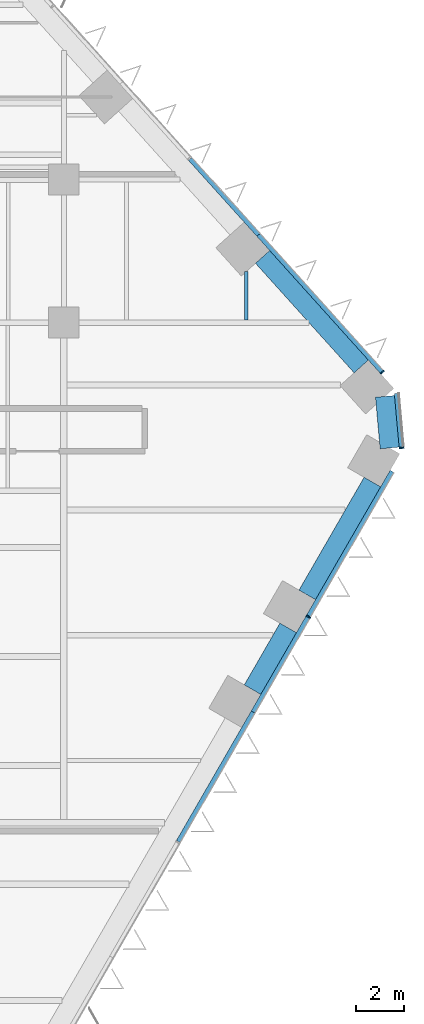
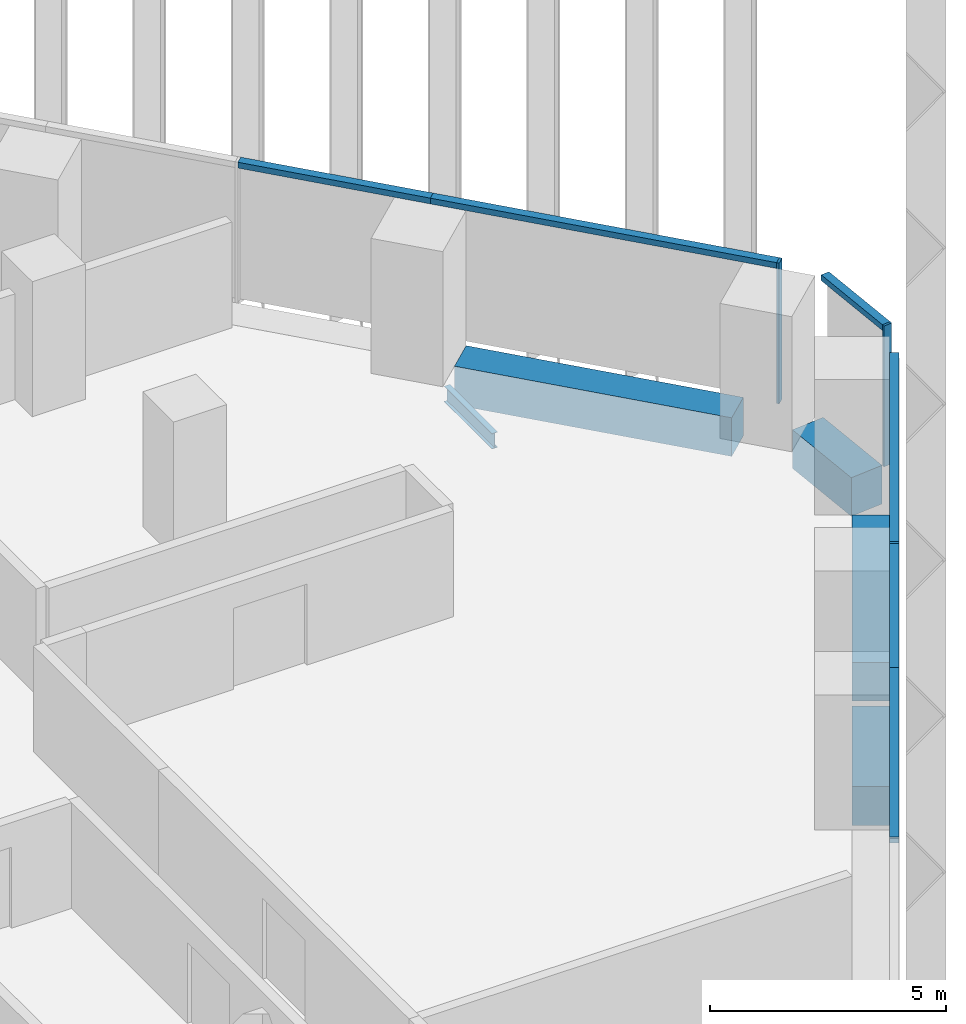
# One storey, part 11 of 24: 9 members, 5 beams, 3 elements without a shape of their own.
"""IFC4 building model written with IfcOpenShell, lengths in metres."""

from ifc_helpers import new_model, si_unit, direction, frame, origin, origin_2d, place, context, subcontext, project, spatial, rectangle, i_section, extrude, material, layer, layer_set, material_profile, profile_set, type_object, element, aggregate, save


model = new_model("IFC4")

# Units and contexts
model_context = context("Model", 3, precision=1e-05, world=origin(), true_north=direction((0.0, 1.0)))
body_context = subcontext(model_context, "Body", "Model", "MODEL_VIEW")
ifc_project = project(units=[si_unit("LENGTHUNIT", "METRE"), si_unit("AREAUNIT", "SQUARE_METRE"), si_unit("VOLUMEUNIT", "CUBIC_METRE"), si_unit("PLANEANGLEUNIT", "RADIAN"), si_unit("MASSUNIT", "GRAM", prefix="KILO")], contexts=[model_context])

# Site, building, storey
site_placement = place(None, origin())
site = spatial("IfcSite", under=ifc_project, at=site_placement, CompositionType="ELEMENT")
building_placement = place(site_placement, origin())
building = spatial("IfcBuilding", under=site, at=building_placement, Name="Isthmus Gate Tower", CompositionType="ELEMENT")
storey_placement = place(building_placement, frame((0.0, 0.0, 80.64990234375)))
storey = spatial("IfcBuildingStorey", under=building, at=storey_placement, Name="L18", CompositionType="ELEMENT", Elevation=80.64990234375)

# Curtain wall, member
ifc_material_1 = material(Name="Aluminium, pale champagne anodised", Category="aluminium")
ifc_layer = layer(ifc_material_1, 0.199951171875)
ifc_layer_set = layer_set([ifc_layer], Name="CW-1 UNITISED CURTAIN WALL 200 DEEP")
curtain_wall_type = type_object("IfcCurtainWallType", Name="CW-1 UNITISED CURTAIN WALL 200 DEEP", PredefinedType="NOTDEFINED", material=ifc_layer_set)
curtain_wall_1_placement = place(storey_placement, origin())
curtain_wall_1 = element("IfcCurtainWall", 1, at=curtain_wall_1_placement, inside=storey, type_object=curtain_wall_type, Name="CW-1 SE L18", PredefinedType="NOTDEFINED")
ifc_material_2 = material(Name="Aluminium, pale champagne anodised", Category="aluminium")
ifc_material_profile_1 = material_profile(ifc_material_2, rectangle(XDim=0.06005859375, YDim=0.199951171875, at=origin_2d()), Name="60x200")
ifc_profile_set_1 = profile_set([ifc_material_profile_1], Name="Aluminium, pale champagne anodised")
member_type_1 = type_object("IfcMemberType", Name="CW-1 MULLION 60 X 200", PredefinedType="MULLION", material=ifc_profile_set_1)
member_1_placement = place(storey_placement, frame((34.267822265625, -4.846435546875, 0.0), z_axis=(0.0, 0.0, 1.0), x_axis=(0.5, 0.866025403784, 0.0)))
member_1 = element("IfcMember", 2, at=member_1_placement, type_object=member_type_1, Name="CW-1 mullion", PredefinedType="MULLION", context=body_context, shape_type="SweptSolid", body=[
    extrude(rectangle(XDim=0.06005859375, YDim=0.199951171875, at=origin_2d()), origin(), (0.0, 0.0, 1.0), 3.650146484375),
])

curtain_wall_2_placement = place(storey_placement, origin())
curtain_wall_2 = element("IfcCurtainWall", 3, at=curtain_wall_2_placement, inside=storey, type_object=curtain_wall_type, Name="CW-1 SE-NE L18", PredefinedType="NOTDEFINED")
member_2_placement = place(storey_placement, frame((38.178955078125, 2.24169921875, 0.0), z_axis=(0.0, 0.0, 1.0), x_axis=(-0.089396669717, 0.995996102123, 0.0)))
member_2 = element("IfcMember", 4, at=member_2_placement, type_object=member_type_1, Name="CW-1 mullion", PredefinedType="MULLION", context=body_context, shape_type="SweptSolid", body=[
    extrude(rectangle(XDim=0.06005859375, YDim=0.199951171875, at=origin_2d()), origin(), (0.0, 0.0, 1.0), 3.650146484375),
])

curtain_wall_3_placement = place(storey_placement, origin())
curtain_wall_3 = element("IfcCurtainWall", 5, at=curtain_wall_3_placement, inside=storey, type_object=curtain_wall_type, Name="CW-1 NE L18", PredefinedType="NOTDEFINED")
member_3_placement = place(storey_placement, frame((37.37353515625, 5.419921875, 0.0), z_axis=(0.0, 0.0, 1.0), x_axis=(-0.669130606359, 0.743144825477, 0.0)))
member_3 = element("IfcMember", 6, at=member_3_placement, type_object=member_type_1, Name="CW-1 mullion", PredefinedType="MULLION", context=body_context, shape_type="SweptSolid", body=[
    extrude(rectangle(XDim=0.06005859375, YDim=0.199951171875, at=origin_2d()), origin(), (0.0, 0.0, 1.0), 3.650146484375),
])

# Member
ifc_material_3 = material(Name="Aluminium, pale champagne anodised", Category="aluminium")
ifc_material_profile_2 = material_profile(ifc_material_3, rectangle(XDim=0.199951171875, YDim=0.14990234375, at=origin_2d()), Name="200x150")
ifc_profile_set_2 = profile_set([ifc_material_profile_2], Name="Aluminium, pale champagne anodised")
member_type_2 = type_object("IfcMemberType", Name="CW-1 TRANSOM 200 X 150", PredefinedType="USERDEFINED", material=ifc_profile_set_2)
member_4_placement = place(storey_placement, frame((28.817138671875, -14.287353515625, 3.5751953125), z_axis=(0.499995104884, 0.866028229963, 0.0), x_axis=(-0.866028229963, 0.499995104884, 0.0)))
member_4 = element("IfcMember", 7, at=member_4_placement, type_object=member_type_2, Name="CW-1 transom", ObjectType="TRANSOM", PredefinedType="USERDEFINED", context=body_context, shape_type="SweptSolid", body=[
    extrude(rectangle(XDim=0.199951171875, YDim=0.14990234375, at=origin_2d()), origin(), (0.0, 0.0, 1.0), 6.2783203125),
])

member_5_placement = place(storey_placement, frame((31.956298828125, -8.85009765625, 3.5751953125), z_axis=(0.499992401796, 0.866029790565, 0.0), x_axis=(-0.866029790565, 0.499992401796, 0.0)))
member_5 = element("IfcMember", 8, at=member_5_placement, type_object=member_type_2, Name="CW-1 transom", ObjectType="TRANSOM", PredefinedType="USERDEFINED", context=body_context, shape_type="SweptSolid", body=[
    extrude(rectangle(XDim=0.199951171875, YDim=0.14990234375, at=origin_2d()), origin(), (0.0, 0.0, 1.0), 4.5927734375),
])

member_6_placement = place(storey_placement, frame((34.28271484375, -4.820556640625, 3.5751953125), z_axis=(0.500004847053, 0.866022605319, 0.0), x_axis=(-0.866022605319, 0.500004847053, 0.0)))
member_6 = element("IfcMember", 9, at=member_6_placement, type_object=member_type_2, Name="CW-1 transom", ObjectType="TRANSOM", PredefinedType="USERDEFINED", context=body_context, shape_type="SweptSolid", body=[
    extrude(rectangle(XDim=0.199951171875, YDim=0.14990234375, at=origin_2d()), origin(), (0.0, 0.0, 1.0), 7.009765625),
])

aggregate(curtain_wall_1, [member_4, member_5, member_1, member_6])

member_7_placement = place(storey_placement, frame((38.17626953125, 2.271728515625, 3.5751953125), z_axis=(-0.089395362867, 0.995996219419, 0.0), x_axis=(-0.995996219419, -0.089395362867, 0.0)))
member_7 = element("IfcMember", 10, at=member_7_placement, type_object=member_type_2, Name="CW-1 transom", ObjectType="TRANSOM", PredefinedType="USERDEFINED", context=body_context, shape_type="SweptSolid", body=[
    extrude(rectangle(XDim=0.199951171875, YDim=0.14990234375, at=origin_2d()), origin(), (0.0, 0.0, 1.0), 2.258544921875),
])

aggregate(curtain_wall_2, [member_2, member_7])

member_8_placement = place(storey_placement, frame((37.353515625, 5.4423828125, 3.5751953125), z_axis=(-0.669133991403, 0.743141777556, 0.0), x_axis=(-0.743141777556, -0.669133991403, 0.0)))
member_8 = element("IfcMember", 11, at=member_8_placement, type_object=member_type_2, Name="CW-1 transom", ObjectType="TRANSOM", PredefinedType="USERDEFINED", context=body_context, shape_type="SweptSolid", body=[
    extrude(rectangle(XDim=0.199951171875, YDim=0.14990234375, at=origin_2d()), origin(), (0.0, 0.0, 1.0), 7.729248046875),
])

member_9_placement = place(storey_placement, frame((32.181640625, 11.186279296875, 3.5751953125), z_axis=(-0.669131169216, 0.743144318678, 0.0), x_axis=(-0.743144318678, -0.669131169216, 0.0)))
member_9 = element("IfcMember", 12, at=member_9_placement, type_object=member_type_2, Name="CW-1 transom", ObjectType="TRANSOM", PredefinedType="USERDEFINED", context=body_context, shape_type="SweptSolid", body=[
    extrude(rectangle(XDim=0.199951171875, YDim=0.14990234375, at=origin_2d()), origin(), (0.0, 0.0, 1.0), 4.294677734375),
])

aggregate(curtain_wall_3, [member_3, member_8, member_9])

# Beams
ifc_material_4 = material(Name="Concrete f'c 70 MPa", Category="concrete")
ifc_material_profile_3 = material_profile(ifc_material_4, rectangle(XDim=0.800048828125, YDim=1.0, at=origin_2d()), Name="RC 800X1000")
ifc_profile_set_3 = profile_set([ifc_material_profile_3], Name="Concrete f'c 70 MPa")
beam_type_1 = type_object("IfcBeamType", Name="RC SPANDREL 800 X 1000", PredefinedType="SPANDREL", material=ifc_profile_set_3)
beam_1_placement = place(storey_placement, frame((32.34521484375, 10.25732421875, -0.5), z_axis=(0.669139054219, -0.743137218903, 0.0), x_axis=(0.743137218903, 0.669139054219, 0.0)))
element("IfcBeam", 13, at=beam_1_placement, inside=storey, type_object=beam_type_1, Name="str-spandrel-L18-04", PredefinedType="SPANDREL", context=body_context, shape_type="SweptSolid", body=[
    extrude(rectangle(XDim=0.800048828125, YDim=1.0, at=origin_2d()), origin(), (0.0, 0.0, 1.0), 6.189453125),
])
beam_2_placement = place(storey_placement, frame((37.483154296875, 4.40185546875, -0.5), z_axis=(0.089421511639, -0.995993872098, 0.0), x_axis=(0.995993872098, 0.089421511639, 0.0)))
element("IfcBeam", 14, at=beam_2_placement, inside=storey, type_object=beam_type_1, Name="str-spandrel-L18-05", PredefinedType="SPANDREL", context=body_context, shape_type="SweptSolid", body=[
    extrude(rectangle(XDim=0.800048828125, YDim=1.0, at=origin_2d()), origin(), (0.0, 0.0, 1.0), 2.17333984375),
])
beam_3_placement = place(storey_placement, frame((36.95458984375, 0.80712890625, -0.5), z_axis=(-0.500008371742, -0.866020570303, 0.0), x_axis=(0.866020570303, -0.500008371742, 0.0)))
element("IfcBeam", 15, at=beam_3_placement, inside=storey, type_object=beam_type_1, Name="str-spandrel-L18-06", PredefinedType="SPANDREL", context=body_context, shape_type="SweptSolid", body=[
    extrude(rectangle(XDim=0.800048828125, YDim=1.0, at=origin_2d()), origin(), (0.0, 0.0, 1.0), 5.4697265625),
])
beam_4_placement = place(storey_placement, frame((33.419677734375, -5.315185546875, -0.5), z_axis=(-0.499955472713, -0.866051110099, 0.0), x_axis=(0.866051110099, -0.499955472713, 0.0)))
element("IfcBeam", 16, at=beam_4_placement, inside=storey, type_object=beam_type_1, Name="str-spandrel-L18-07", PredefinedType="SPANDREL", context=body_context, shape_type="SweptSolid", body=[
    extrude(rectangle(XDim=0.800048828125, YDim=1.0, at=origin_2d()), origin(), (0.0, 0.0, 1.0), 2.992919921875),
])
ifc_material_5 = material(Name="Structural steel ASTM A992 Gr 50", Category="steel")
ifc_material_profile_4 = material_profile(ifc_material_5, i_section(OverallWidth=0.1396484375, OverallDepth=0.4033203125, WebThickness=0.00634765625, FlangeThickness=0.010986328125, at=origin_2d()), Name="W16X31")
ifc_profile_set_4 = profile_set([ifc_material_profile_4], Name="Structural steel ASTM A992 Gr 50")
beam_type_2 = type_object("IfcBeamType", Name="STEEL FLOOR BEAM W16X31", PredefinedType="JOIST", material=ifc_profile_set_4)
beam_5_placement = place(storey_placement, frame((31.666259765625, 7.6142578125, -0.3515625), z_axis=(0.0, 1.0, 0.0), x_axis=(-1.0, 0.0, 0.0)))
element("IfcBeam", 17, at=beam_5_placement, inside=storey, type_object=beam_type_2, Name="str-beam-L18-33-01", PredefinedType="JOIST", context=body_context, shape_type="SweptSolid", body=[
    extrude(i_section(OverallWidth=0.1396484375, OverallDepth=0.4033203125, WebThickness=0.00634765625, FlangeThickness=0.010986328125, at=origin_2d()), origin(), (0.0, 0.0, 1.0), 2.03173828125),
])

save(model, "model.ifc")
